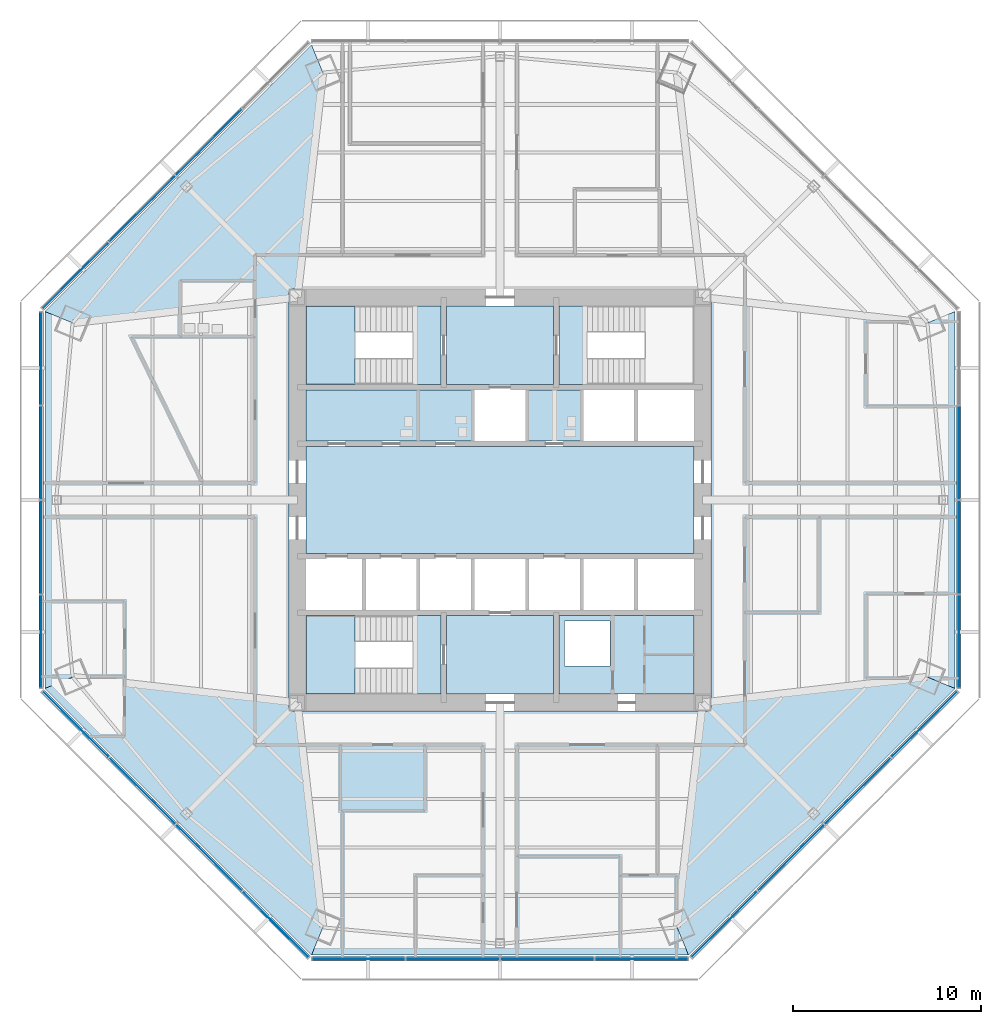
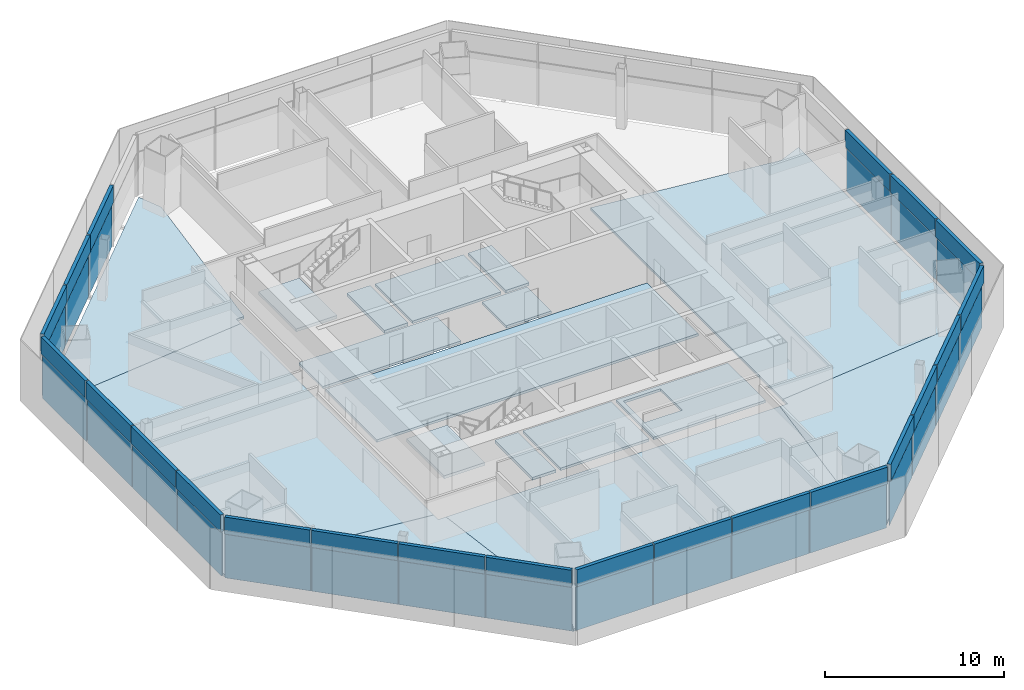
# One storey, part 7 of 15: 44 plates, 17 slabs, 9 elements without a shape of their own.
"""IFC4 building model written with IfcOpenShell, lengths in metres."""

from ifc_helpers import new_model, si_unit, direction, frame, origin, origin_2d, place, context, subcontext, project, spatial, polyline, rectangle, outline, extrude, source, transform, mapped, material, layer, layer_set, type_object, type_shapes, element, aggregate, save


model = new_model("IFC4")

# Units and contexts
model_context = context("Model", 3, precision=1e-05, world=origin(), true_north=direction((0.0, 1.0)))
body_context = subcontext(model_context, "Body", "Model", "MODEL_VIEW")
ifc_project = project(units=[si_unit("LENGTHUNIT", "METRE"), si_unit("AREAUNIT", "SQUARE_METRE"), si_unit("VOLUMEUNIT", "CUBIC_METRE"), si_unit("PLANEANGLEUNIT", "RADIAN"), si_unit("MASSUNIT", "GRAM", prefix="KILO")], contexts=[model_context])

# Site, building, storey
site_placement = place(None, origin())
site = spatial("IfcSite", under=ifc_project, at=site_placement, CompositionType="ELEMENT")
building_placement = place(site_placement, origin())
building = spatial("IfcBuilding", under=site, at=building_placement, Name="Mashrafa Tower", CompositionType="ELEMENT")
storey_placement = place(building_placement, frame((0.0, 0.0, 126.0)))
storey = spatial("IfcBuildingStorey", under=building, at=storey_placement, Name="L28", CompositionType="ELEMENT", Elevation=126.0)

# Slabs
ifc_material_1 = material(Name="Concrete C35/45", Category="concrete")
ifc_layer_1 = layer(ifc_material_1, 0.1650390625)
ifc_layer_set_1 = layer_set([ifc_layer_1], Name="Floor slab 165")
slab_type_1 = type_object("IfcSlabType", Name="Floor slab 165", PredefinedType="FLOOR", material=ifc_layer_set_1)
slab_1_placement = place(storey_placement, frame((0.0, 0.0, -0.1650390625)))
element("IfcSlab", 1, at=slab_1_placement, inside=storey, type_object=slab_type_1, Name="Floor slab L28 east bay", PredefinedType="FLOOR", context=body_context, shape_type="SweptSolid", body=[
    extrude(outline(polyline([(24.250244140625, 10.044921875), (24.250244140625, -10.044921875), (24.250244140625, -10.044921875), (22.77685546875, -9.4345703125), (11.25, -10.748779296875), (11.25, 10.748779296875), (22.77685546875, 9.4345703125), (24.250244140625, 10.044921875), (24.250244140625, 10.044921875)])), origin(), (0.0, 0.0, 1.0), 0.1650390625),
])
slab_2_placement = place(storey_placement, frame((0.0, 0.0, -0.1650390625)))
element("IfcSlab", 2, at=slab_2_placement, inside=storey, type_object=slab_type_1, Name="Floor slab L28 north-west bay", PredefinedType="FLOOR", context=body_context, shape_type="SweptSolid", body=[
    extrude(outline(polyline([(-10.044921875, 24.250244140625), (-9.4345703125, 22.77685546875), (-10.748779296875, 11.25), (-11.25, 11.25), (-11.25, 10.748779296875), (-22.77685546875, 9.4345703125), (-24.250244140625, 10.044921875), (-10.044921875, 24.250244140625)])), origin(), (0.0, 0.0, 1.0), 0.1650390625),
])
slab_3_placement = place(storey_placement, frame((0.0, 0.0, -0.1650390625)))
element("IfcSlab", 3, at=slab_3_placement, inside=storey, type_object=slab_type_1, Name="Floor slab L28 west bay", PredefinedType="FLOOR", context=body_context, shape_type="SweptSolid", body=[
    extrude(outline(polyline([(-24.250244140625, -10.044921875), (-24.250244140625, 10.044921875), (-24.250244140625, 10.044921875), (-22.77685546875, 9.4345703125), (-11.25, 10.748779296875), (-11.25, -10.748779296875), (-22.77685546875, -9.4345703125), (-24.250244140625, -10.044921875), (-24.250244140625, -10.044921875)])), origin(), (0.0, 0.0, 1.0), 0.1650390625),
])
slab_4_placement = place(storey_placement, frame((0.0, 0.0, -0.1650390625)))
element("IfcSlab", 4, at=slab_4_placement, inside=storey, type_object=slab_type_1, Name="Floor slab L28 south-west bay", PredefinedType="FLOOR", context=body_context, shape_type="SweptSolid", body=[
    extrude(outline(polyline([(-24.250244140625, -10.044921875), (-22.77685546875, -9.4345703125), (-11.25, -10.748779296875), (-11.25, -11.25), (-10.748779296875, -11.25), (-9.4345703125, -22.77685546875), (-10.044921875, -24.250244140625), (-24.250244140625, -10.044921875)])), origin(), (0.0, 0.0, 1.0), 0.1650390625),
])
slab_5_placement = place(storey_placement, frame((0.0, 0.0, -0.1650390625)))
element("IfcSlab", 5, at=slab_5_placement, inside=storey, type_object=slab_type_1, Name="Floor slab L28 south bay", PredefinedType="FLOOR", context=body_context, shape_type="SweptSolid", body=[
    extrude(outline(polyline([(-10.044921875, -24.250244140625), (-10.044921875, -24.250244140625), (-9.4345703125, -22.77685546875), (-10.748779296875, -11.25), (10.748779296875, -11.25), (9.4345703125, -22.77685546875), (10.044921875, -24.250244140625), (10.044921875, -24.250244140625), (-10.044921875, -24.250244140625)])), origin(), (0.0, 0.0, 1.0), 0.1650390625),
])
slab_6_placement = place(storey_placement, frame((0.0, 0.0, -0.1650390625)))
element("IfcSlab", 6, at=slab_6_placement, inside=storey, type_object=slab_type_1, Name="Floor slab L28 south-east bay", PredefinedType="FLOOR", context=body_context, shape_type="SweptSolid", body=[
    extrude(outline(polyline([(10.044921875, -24.250244140625), (9.4345703125, -22.77685546875), (10.748779296875, -11.25), (11.25, -11.25), (11.25, -10.748779296875), (22.77685546875, -9.4345703125), (24.250244140625, -10.044921875), (10.044921875, -24.250244140625)])), origin(), (0.0, 0.0, 1.0), 0.1650390625),
])
slab_7_placement = place(storey_placement, frame((0.0, 0.0, -0.1650390625)))
element("IfcSlab", 7, at=slab_7_placement, inside=storey, type_object=slab_type_1, Name="Core floor lift hall L28", PredefinedType="FLOOR", context=body_context, shape_type="SweptSolid", body=[
    extrude(outline(polyline([(-10.35009765625, 2.85009765625), (10.35009765625, 2.85009765625), (10.35009765625, -2.85009765625), (-10.35009765625, -2.85009765625), (-10.35009765625, 2.85009765625)])), origin(), (0.0, 0.0, 1.0), 0.1650390625),
])
slab_8_placement = place(storey_placement, frame((0.0, 0.0, -0.1650390625)))
element("IfcSlab", 8, at=slab_8_placement, inside=storey, type_object=slab_type_1, Name="Core floor riser and electrical band L28", PredefinedType="FLOOR", context=body_context, shape_type="SweptSolid", body=[
    extrude(outline(polyline([(10.35009765625, -6.14990234375), (10.35009765625, -10.35009765625), (3.14990234375, -10.35009765625), (3.14990234375, -6.14990234375), (10.35009765625, -6.14990234375)]), holes=[polyline([(3.449951171875, -8.85009765625), (5.85009765625, -8.85009765625), (5.85009765625, -6.449951171875), (3.449951171875, -6.449951171875), (3.449951171875, -8.85009765625)])]), origin(), (0.0, 0.0, 1.0), 0.1650390625),
])
slab_9_placement = place(storey_placement, frame((0.0, 0.0, -0.1650390625)))
element("IfcSlab", 9, at=slab_9_placement, inside=storey, type_object=slab_type_1, Name="Core floor lift cell L28", PredefinedType="FLOOR", context=body_context, shape_type="SweptSolid", body=[
    extrude(outline(polyline([(-1.449951171875, 3.14990234375), (-10.35009765625, 3.14990234375), (-10.35009765625, 5.85009765625), (-1.449951171875, 5.85009765625), (-1.449951171875, 3.14990234375)])), origin(), (0.0, 0.0, 1.0), 0.1650390625),
])
slab_10_placement = place(storey_placement, frame((0.0, 0.0, -0.1650390625)))
element("IfcSlab", 10, at=slab_10_placement, inside=storey, type_object=slab_type_1, Name="Core floor fire-fighting lobby north L28", PredefinedType="FLOOR", context=body_context, shape_type="SweptSolid", body=[
    extrude(outline(polyline([(-2.85009765625, 10.35009765625), (2.85009765625, 10.35009765625), (2.85009765625, 6.14990234375), (-2.85009765625, 6.14990234375), (-2.85009765625, 10.35009765625)])), origin(), (0.0, 0.0, 1.0), 0.1650390625),
])
slab_11_placement = place(storey_placement, frame((0.0, 0.0, -0.1650390625)))
element("IfcSlab", 11, at=slab_11_placement, inside=storey, type_object=slab_type_1, Name="Core floor fire-fighting lobby south L28", PredefinedType="FLOOR", context=body_context, shape_type="SweptSolid", body=[
    extrude(outline(polyline([(2.85009765625, -6.14990234375), (2.85009765625, -10.35009765625), (-2.85009765625, -10.35009765625), (-2.85009765625, -6.14990234375), (2.85009765625, -6.14990234375)])), origin(), (0.0, 0.0, 1.0), 0.1650390625),
])
slab_12_placement = place(storey_placement, frame((0.0, 0.0, -0.1650390625)))
element("IfcSlab", 12, at=slab_12_placement, inside=storey, type_object=slab_type_1, Name="Core floor lift cell L28", PredefinedType="FLOOR", context=body_context, shape_type="SweptSolid", body=[
    extrude(outline(polyline([(4.35009765625, 5.85009765625), (4.35009765625, 3.14990234375), (1.449951171875, 3.14990234375), (1.449951171875, 5.85009765625), (4.35009765625, 5.85009765625)])), origin(), (0.0, 0.0, 1.0), 0.1650390625),
])

# Stair, slabs
ifc_material_2 = material(Name="Exit stair 1400")
stair_type = type_object("IfcStairType", Name="Exit stair 1400", PredefinedType="HALF_TURN_STAIR", material=ifc_material_2)
stair_1_placement = place(storey_placement, origin())
stair_1 = element("IfcStair", 13, at=stair_1_placement, inside=storey, type_object=stair_type, Name="Stair S1 L28", PredefinedType="HALF_TURN_STAIR")
ifc_material_3 = material(Name="Concrete C32/40", Category="concrete")
ifc_layer_2 = layer(ifc_material_3, 0.199951171875)
ifc_layer_set_2 = layer_set([ifc_layer_2], Name="Stair landing 200")
slab_type_2 = type_object("IfcSlabType", Name="Stair landing 200", PredefinedType="LANDING", material=ifc_layer_set_2)
slab_13_placement = place(storey_placement, frame((0.0, 0.0, -0.199951171875)))
slab_13 = element("IfcSlab", 14, at=slab_13_placement, type_object=slab_type_2, Name="S1 landing 1", PredefinedType="LANDING", context=body_context, shape_type="SweptSolid", body=[
    extrude(outline(polyline([(-4.659912109375, 6.14990234375), (-3.14990234375, 6.14990234375), (-3.14990234375, 10.35009765625), (-4.659912109375, 10.35009765625), (-4.659912109375, 6.14990234375)])), origin(), (0.0, 0.0, 1.0), 0.199951171875),
])
slab_14_placement = place(storey_placement, frame((0.0, 0.0, 1.89990234375)))
slab_14 = element("IfcSlab", 15, at=slab_14_placement, type_object=slab_type_2, Name="S1 landing 2", PredefinedType="LANDING", context=body_context, shape_type="SweptSolid", body=[
    extrude(outline(polyline([(-10.35009765625, 6.14990234375), (-7.719970703125, 6.14990234375), (-7.719970703125, 10.35009765625), (-10.35009765625, 10.35009765625), (-10.35009765625, 6.14990234375)])), origin(), (0.0, 0.0, 1.0), 0.2001953125),
])
aggregate(stair_1, [slab_13, slab_14])

# Stair, slab
stair_2_placement = place(storey_placement, origin())
stair_2 = element("IfcStair", 16, at=stair_2_placement, inside=storey, type_object=stair_type, Name="Stair S2 L28", PredefinedType="HALF_TURN_STAIR")
slab_15_placement = place(storey_placement, frame((0.0, 0.0, -0.199951171875)))
slab_15 = element("IfcSlab", 17, at=slab_15_placement, type_object=slab_type_2, Name="S2 landing 1", PredefinedType="LANDING", context=body_context, shape_type="SweptSolid", body=[
    extrude(outline(polyline([(3.14990234375, 6.14990234375), (4.659912109375, 6.14990234375), (4.659912109375, 10.35009765625), (3.14990234375, 10.35009765625), (3.14990234375, 6.14990234375)])), origin(), (0.0, 0.0, 1.0), 0.199951171875),
])
aggregate(stair_2, [slab_15])

# Stair, slabs
stair_3_placement = place(storey_placement, origin())
stair_3 = element("IfcStair", 18, at=stair_3_placement, inside=storey, type_object=stair_type, Name="Stair S3 L28", PredefinedType="HALF_TURN_STAIR")
slab_16_placement = place(storey_placement, frame((0.0, 0.0, -0.199951171875)))
slab_16 = element("IfcSlab", 19, at=slab_16_placement, type_object=slab_type_2, Name="S3 landing 1", PredefinedType="LANDING", context=body_context, shape_type="SweptSolid", body=[
    extrude(outline(polyline([(-4.659912109375, -10.35009765625), (-3.14990234375, -10.35009765625), (-3.14990234375, -6.14990234375), (-4.659912109375, -6.14990234375), (-4.659912109375, -10.35009765625)])), origin(), (0.0, 0.0, 1.0), 0.199951171875),
])
slab_17_placement = place(storey_placement, frame((0.0, 0.0, 1.89990234375)))
slab_17 = element("IfcSlab", 20, at=slab_17_placement, type_object=slab_type_2, Name="S3 landing 2", PredefinedType="LANDING", context=body_context, shape_type="SweptSolid", body=[
    extrude(outline(polyline([(-10.35009765625, -10.35009765625), (-7.719970703125, -10.35009765625), (-7.719970703125, -6.14990234375), (-10.35009765625, -6.14990234375), (-10.35009765625, -10.35009765625)])), origin(), (0.0, 0.0, 1.0), 0.2001953125),
])
aggregate(stair_3, [slab_16, slab_17])

# Curtain wall, plate
ifc_material_4 = material(Name="Unitised aluminium curtain wall", Category="aluminium")
curtain_wall_type = type_object("IfcCurtainWallType", Name="Office curtain wall, zone 2 CW-B 225 deep", PredefinedType="NOTDEFINED", material=ifc_material_4)
curtain_wall_1_placement = place(storey_placement, origin())
curtain_wall_1 = element("IfcCurtainWall", 21, at=curtain_wall_1_placement, inside=storey, type_object=curtain_wall_type, Name="Office curtain wall, zone 2 L28 east", PredefinedType="NOTDEFINED")
ifc_material_5 = material(Name="Insulated double glazing, low-e, neutral", Category="glass")
ifc_layer_3 = layer(ifc_material_5, 0.028076171875)
ifc_layer_set_3 = layer_set([ifc_layer_3], Name="Vision panel CW-B 28")
plate_type_1 = type_object("IfcPlateType", Name="Vision panel CW-B 28", PredefinedType="CURTAIN_PANEL", material=ifc_layer_set_3)
shared_shape_1 = source(origin(), body_context, "Body", "SweptSolid", [
    extrude(rectangle(XDim=4.93798828125, YDim=0.028076171875, at=origin_2d()), origin(), (0.0, 0.0, 1.0), 2.9599609375),
])
plate_1_placement = place(storey_placement, frame((24.450439453125, -7.537109375, 0.0), z_axis=(0.0, 0.0, 1.0), x_axis=(0.0, 1.0, 0.0)))
plate_1 = element("IfcPlate", 22, at=plate_1_placement, type_object=plate_type_1, Name="CW-B vision panel 1", PredefinedType="CURTAIN_PANEL", context=body_context, shape_type="MappedRepresentation", body=[
    mapped(shared_shape_1, transform((0.0, 0.0, 0.0))),
])

curtain_wall_2_placement = place(storey_placement, origin())
curtain_wall_2 = element("IfcCurtainWall", 23, at=curtain_wall_2_placement, inside=storey, type_object=curtain_wall_type, Name="Office curtain wall, zone 2 L28 north-west", PredefinedType="NOTDEFINED")
plate_2_placement = place(storey_placement, frame((-22.618408203125, 11.95947265625, 0.0), z_axis=(0.0, 0.0, 1.0), x_axis=(-0.707106781187, -0.707106781187, 0.0)))
plate_2 = element("IfcPlate", 24, at=plate_2_placement, type_object=plate_type_1, Name="CW-B vision panel 4", PredefinedType="CURTAIN_PANEL", context=body_context, shape_type="MappedRepresentation", body=[
    mapped(shared_shape_1, transform((0.0, 0.0, 0.0))),
])

# Curtain wall, plates
curtain_wall_3_placement = place(storey_placement, origin())
curtain_wall_3 = element("IfcCurtainWall", 25, at=curtain_wall_3_placement, inside=storey, type_object=curtain_wall_type, Name="Office curtain wall, zone 2 L28 west", PredefinedType="NOTDEFINED")
plate_3_placement = place(storey_placement, frame((-24.450439453125, 7.537109375, 0.0), z_axis=(0.0, 0.0, 1.0), x_axis=(0.0, -1.0, 0.0)))
plate_3 = element("IfcPlate", 26, at=plate_3_placement, type_object=plate_type_1, Name="CW-B vision panel 1", PredefinedType="CURTAIN_PANEL", context=body_context, shape_type="MappedRepresentation", body=[
    mapped(shared_shape_1, transform((0.0, 0.0, 0.0))),
])
plate_4_placement = place(storey_placement, frame((-24.450439453125, -7.537109375, 0.0), z_axis=(0.0, 0.0, 1.0), x_axis=(0.0, -1.0, 0.0)))
plate_4 = element("IfcPlate", 27, at=plate_4_placement, type_object=plate_type_1, Name="CW-B vision panel 4", PredefinedType="CURTAIN_PANEL", context=body_context, shape_type="MappedRepresentation", body=[
    mapped(shared_shape_1, transform((0.0, 0.0, 0.0))),
])

curtain_wall_4_placement = place(storey_placement, origin())
curtain_wall_4 = element("IfcCurtainWall", 28, at=curtain_wall_4_placement, inside=storey, type_object=curtain_wall_type, Name="Office curtain wall, zone 2 L28 south-west", PredefinedType="NOTDEFINED")
plate_5_placement = place(storey_placement, frame((-22.618408203125, -11.95947265625, 0.0), z_axis=(0.0, 0.0, 1.0), x_axis=(0.707106781187, -0.707106781187, 0.0)))
plate_5 = element("IfcPlate", 29, at=plate_5_placement, type_object=plate_type_1, Name="CW-B vision panel 1", PredefinedType="CURTAIN_PANEL", context=body_context, shape_type="MappedRepresentation", body=[
    mapped(shared_shape_1, transform((0.0, 0.0, 0.0))),
])
plate_6_placement = place(storey_placement, frame((-11.95947265625, -22.618408203125, 0.0), z_axis=(0.0, 0.0, 1.0), x_axis=(0.707106781187, -0.707106781187, 0.0)))
plate_6 = element("IfcPlate", 30, at=plate_6_placement, type_object=plate_type_1, Name="CW-B vision panel 4", PredefinedType="CURTAIN_PANEL", context=body_context, shape_type="MappedRepresentation", body=[
    mapped(shared_shape_1, transform((0.0, 0.0, 0.0))),
])

curtain_wall_5_placement = place(storey_placement, origin())
curtain_wall_5 = element("IfcCurtainWall", 31, at=curtain_wall_5_placement, inside=storey, type_object=curtain_wall_type, Name="Office curtain wall, zone 2 L28 south", PredefinedType="NOTDEFINED")
plate_7_placement = place(storey_placement, frame((-7.537109375, -24.450439453125, 0.0), z_axis=(0.0, 0.0, 1.0), x_axis=(1.0, 0.0, 0.0)))
plate_7 = element("IfcPlate", 32, at=plate_7_placement, type_object=plate_type_1, Name="CW-B vision panel 1", PredefinedType="CURTAIN_PANEL", context=body_context, shape_type="MappedRepresentation", body=[
    mapped(shared_shape_1, transform((0.0, 0.0, 0.0))),
])
plate_8_placement = place(storey_placement, frame((7.537109375, -24.450439453125, 0.0), z_axis=(0.0, 0.0, 1.0), x_axis=(1.0, 0.0, 0.0)))
plate_8 = element("IfcPlate", 33, at=plate_8_placement, type_object=plate_type_1, Name="CW-B vision panel 4", PredefinedType="CURTAIN_PANEL", context=body_context, shape_type="MappedRepresentation", body=[
    mapped(shared_shape_1, transform((0.0, 0.0, 0.0))),
])

curtain_wall_6_placement = place(storey_placement, origin())
curtain_wall_6 = element("IfcCurtainWall", 34, at=curtain_wall_6_placement, inside=storey, type_object=curtain_wall_type, Name="Office curtain wall, zone 2 L28 south-east", PredefinedType="NOTDEFINED")
plate_9_placement = place(storey_placement, frame((11.95947265625, -22.618408203125, 0.0), z_axis=(0.0, 0.0, 1.0), x_axis=(0.707106781187, 0.707106781187, 0.0)))
plate_9 = element("IfcPlate", 35, at=plate_9_placement, type_object=plate_type_1, Name="CW-B vision panel 1", PredefinedType="CURTAIN_PANEL", context=body_context, shape_type="MappedRepresentation", body=[
    mapped(shared_shape_1, transform((0.0, 0.0, 0.0))),
])
plate_10_placement = place(storey_placement, frame((22.618408203125, -11.95947265625, 0.0), z_axis=(0.0, 0.0, 1.0), x_axis=(0.707106781187, 0.707106781187, 0.0)))
plate_10 = element("IfcPlate", 36, at=plate_10_placement, type_object=plate_type_1, Name="CW-B vision panel 4", PredefinedType="CURTAIN_PANEL", context=body_context, shape_type="MappedRepresentation", body=[
    mapped(shared_shape_1, transform((0.0, 0.0, 0.0))),
])

# Plate
ifc_material_6 = material(Name="Insulated aluminium spandrel panel", Category="aluminium")
ifc_layer_4 = layer(ifc_material_6, 0.219970703125)
ifc_layer_set_4 = layer_set([ifc_layer_4], Name="Spandrel panel CW-B 220")
plate_type_2 = type_object("IfcPlateType", Name="Spandrel panel CW-B 220", PredefinedType="CURTAIN_PANEL", material=ifc_layer_set_4)
shared_shape_2 = source(origin(), body_context, "Body", "SweptSolid", [
    extrude(rectangle(XDim=4.93798828125, YDim=0.219970703125, at=origin_2d()), origin(), (0.0, 0.0, 1.0), 1.159912109375),
])
plate_11_placement = place(storey_placement, frame((24.450439453125, -7.537109375, 3.0400390625), z_axis=(0.0, 0.0, 1.0), x_axis=(0.0, 1.0, 0.0)))
plate_11 = element("IfcPlate", 37, at=plate_11_placement, type_object=plate_type_2, Name="CW-B spandrel panel 1", PredefinedType="CURTAIN_PANEL", context=body_context, shape_type="MappedRepresentation", body=[
    mapped(shared_shape_2, transform((0.0, 0.0, 0.0))),
])

plate_12_placement = place(storey_placement, frame((-22.618408203125, 11.95947265625, 3.0400390625), z_axis=(0.0, 0.0, 1.0), x_axis=(-0.707106781187, -0.707106781187, 0.0)))
plate_12 = element("IfcPlate", 38, at=plate_12_placement, type_object=plate_type_2, Name="CW-B spandrel panel 4", PredefinedType="CURTAIN_PANEL", context=body_context, shape_type="MappedRepresentation", body=[
    mapped(shared_shape_2, transform((0.0, 0.0, 0.0))),
])

plate_13_placement = place(storey_placement, frame((-24.450439453125, 7.537109375, 3.0400390625), z_axis=(0.0, 0.0, 1.0), x_axis=(0.0, -1.0, 0.0)))
plate_13 = element("IfcPlate", 39, at=plate_13_placement, type_object=plate_type_2, Name="CW-B spandrel panel 1", PredefinedType="CURTAIN_PANEL", context=body_context, shape_type="MappedRepresentation", body=[
    mapped(shared_shape_2, transform((0.0, 0.0, 0.0))),
])

plate_14_placement = place(storey_placement, frame((-24.450439453125, -7.537109375, 3.0400390625), z_axis=(0.0, 0.0, 1.0), x_axis=(0.0, -1.0, 0.0)))
plate_14 = element("IfcPlate", 40, at=plate_14_placement, type_object=plate_type_2, Name="CW-B spandrel panel 4", PredefinedType="CURTAIN_PANEL", context=body_context, shape_type="MappedRepresentation", body=[
    mapped(shared_shape_2, transform((0.0, 0.0, 0.0))),
])

plate_15_placement = place(storey_placement, frame((-22.618408203125, -11.95947265625, 3.0400390625), z_axis=(0.0, 0.0, 1.0), x_axis=(0.707106781187, -0.707106781187, 0.0)))
plate_15 = element("IfcPlate", 41, at=plate_15_placement, type_object=plate_type_2, Name="CW-B spandrel panel 1", PredefinedType="CURTAIN_PANEL", context=body_context, shape_type="MappedRepresentation", body=[
    mapped(shared_shape_2, transform((0.0, 0.0, 0.0))),
])

plate_16_placement = place(storey_placement, frame((-11.95947265625, -22.618408203125, 3.0400390625), z_axis=(0.0, 0.0, 1.0), x_axis=(0.707106781187, -0.707106781187, 0.0)))
plate_16 = element("IfcPlate", 42, at=plate_16_placement, type_object=plate_type_2, Name="CW-B spandrel panel 4", PredefinedType="CURTAIN_PANEL", context=body_context, shape_type="MappedRepresentation", body=[
    mapped(shared_shape_2, transform((0.0, 0.0, 0.0))),
])

plate_17_placement = place(storey_placement, frame((-7.537109375, -24.450439453125, 3.0400390625), z_axis=(0.0, 0.0, 1.0), x_axis=(1.0, 0.0, 0.0)))
plate_17 = element("IfcPlate", 43, at=plate_17_placement, type_object=plate_type_2, Name="CW-B spandrel panel 1", PredefinedType="CURTAIN_PANEL", context=body_context, shape_type="MappedRepresentation", body=[
    mapped(shared_shape_2, transform((0.0, 0.0, 0.0))),
])

plate_18_placement = place(storey_placement, frame((7.537109375, -24.450439453125, 3.0400390625), z_axis=(0.0, 0.0, 1.0), x_axis=(1.0, 0.0, 0.0)))
plate_18 = element("IfcPlate", 44, at=plate_18_placement, type_object=plate_type_2, Name="CW-B spandrel panel 4", PredefinedType="CURTAIN_PANEL", context=body_context, shape_type="MappedRepresentation", body=[
    mapped(shared_shape_2, transform((0.0, 0.0, 0.0))),
])

plate_19_placement = place(storey_placement, frame((11.95947265625, -22.618408203125, 3.0400390625), z_axis=(0.0, 0.0, 1.0), x_axis=(0.707106781187, 0.707106781187, 0.0)))
plate_19 = element("IfcPlate", 45, at=plate_19_placement, type_object=plate_type_2, Name="CW-B spandrel panel 1", PredefinedType="CURTAIN_PANEL", context=body_context, shape_type="MappedRepresentation", body=[
    mapped(shared_shape_2, transform((0.0, 0.0, 0.0))),
])

plate_20_placement = place(storey_placement, frame((22.618408203125, -11.95947265625, 3.0400390625), z_axis=(0.0, 0.0, 1.0), x_axis=(0.707106781187, 0.707106781187, 0.0)))
plate_20 = element("IfcPlate", 46, at=plate_20_placement, type_object=plate_type_2, Name="CW-B spandrel panel 4", PredefinedType="CURTAIN_PANEL", context=body_context, shape_type="MappedRepresentation", body=[
    mapped(shared_shape_2, transform((0.0, 0.0, 0.0))),
])

shared_shape_3 = source(origin(), body_context, "Body", "SweptSolid", [
    extrude(rectangle(XDim=4.970458984375, YDim=0.028076171875, at=origin_2d()), origin(), (0.0, 0.0, 1.0), 2.9599609375),
])
type_shapes(plate_type_1, [shared_shape_1, shared_shape_3])
plate_21_placement = place(storey_placement, frame((24.450439453125, -2.517822265625, 0.0), z_axis=(0.0, 0.0, 1.0), x_axis=(0.0, 1.0, 0.0)))
plate_21 = element("IfcPlate", 47, at=plate_21_placement, type_object=plate_type_1, Name="CW-B vision panel 2", PredefinedType="CURTAIN_PANEL", context=body_context, shape_type="MappedRepresentation", body=[
    mapped(shared_shape_3, transform((0.0, 0.0, 0.0))),
])

plate_22_placement = place(storey_placement, frame((24.450439453125, 2.517822265625, 0.0), z_axis=(0.0, 0.0, 1.0), x_axis=(0.0, 1.0, 0.0)))
plate_22 = element("IfcPlate", 48, at=plate_22_placement, type_object=plate_type_1, Name="CW-B vision panel 3", PredefinedType="CURTAIN_PANEL", context=body_context, shape_type="MappedRepresentation", body=[
    mapped(shared_shape_3, transform((0.0, 0.0, 0.0))),
])

plate_23_placement = place(storey_placement, frame((-15.5087890625, 19.0693359375, 0.0), z_axis=(0.0, 0.0, 1.0), x_axis=(-0.707106781187, -0.707106781187, 0.0)))
plate_23 = element("IfcPlate", 49, at=plate_23_placement, type_object=plate_type_1, Name="CW-B vision panel 2", PredefinedType="CURTAIN_PANEL", context=body_context, shape_type="MappedRepresentation", body=[
    mapped(shared_shape_3, transform((0.0, 0.0, 0.0))),
])

plate_24_placement = place(storey_placement, frame((-19.0693359375, 15.5087890625, 0.0), z_axis=(0.0, 0.0, 1.0), x_axis=(-0.707106781187, -0.707106781187, 0.0)))
plate_24 = element("IfcPlate", 50, at=plate_24_placement, type_object=plate_type_1, Name="CW-B vision panel 3", PredefinedType="CURTAIN_PANEL", context=body_context, shape_type="MappedRepresentation", body=[
    mapped(shared_shape_3, transform((0.0, 0.0, 0.0))),
])

plate_25_placement = place(storey_placement, frame((-24.450439453125, 2.517822265625, 0.0), z_axis=(0.0, 0.0, 1.0), x_axis=(0.0, -1.0, 0.0)))
plate_25 = element("IfcPlate", 51, at=plate_25_placement, type_object=plate_type_1, Name="CW-B vision panel 2", PredefinedType="CURTAIN_PANEL", context=body_context, shape_type="MappedRepresentation", body=[
    mapped(shared_shape_3, transform((0.0, 0.0, 0.0))),
])

plate_26_placement = place(storey_placement, frame((-24.450439453125, -2.517822265625, 0.0), z_axis=(0.0, 0.0, 1.0), x_axis=(0.0, -1.0, 0.0)))
plate_26 = element("IfcPlate", 52, at=plate_26_placement, type_object=plate_type_1, Name="CW-B vision panel 3", PredefinedType="CURTAIN_PANEL", context=body_context, shape_type="MappedRepresentation", body=[
    mapped(shared_shape_3, transform((0.0, 0.0, 0.0))),
])

plate_27_placement = place(storey_placement, frame((-19.0693359375, -15.5087890625, 0.0), z_axis=(0.0, 0.0, 1.0), x_axis=(0.707106781187, -0.707106781187, 0.0)))
plate_27 = element("IfcPlate", 53, at=plate_27_placement, type_object=plate_type_1, Name="CW-B vision panel 2", PredefinedType="CURTAIN_PANEL", context=body_context, shape_type="MappedRepresentation", body=[
    mapped(shared_shape_3, transform((0.0, 0.0, 0.0))),
])

plate_28_placement = place(storey_placement, frame((-15.5087890625, -19.0693359375, 0.0), z_axis=(0.0, 0.0, 1.0), x_axis=(0.707106781187, -0.707106781187, 0.0)))
plate_28 = element("IfcPlate", 54, at=plate_28_placement, type_object=plate_type_1, Name="CW-B vision panel 3", PredefinedType="CURTAIN_PANEL", context=body_context, shape_type="MappedRepresentation", body=[
    mapped(shared_shape_3, transform((0.0, 0.0, 0.0))),
])

plate_29_placement = place(storey_placement, frame((-2.517822265625, -24.450439453125, 0.0), z_axis=(0.0, 0.0, 1.0), x_axis=(1.0, 0.0, 0.0)))
plate_29 = element("IfcPlate", 55, at=plate_29_placement, type_object=plate_type_1, Name="CW-B vision panel 2", PredefinedType="CURTAIN_PANEL", context=body_context, shape_type="MappedRepresentation", body=[
    mapped(shared_shape_3, transform((0.0, 0.0, 0.0))),
])

plate_30_placement = place(storey_placement, frame((2.517822265625, -24.450439453125, 0.0), z_axis=(0.0, 0.0, 1.0), x_axis=(1.0, 0.0, 0.0)))
plate_30 = element("IfcPlate", 56, at=plate_30_placement, type_object=plate_type_1, Name="CW-B vision panel 3", PredefinedType="CURTAIN_PANEL", context=body_context, shape_type="MappedRepresentation", body=[
    mapped(shared_shape_3, transform((0.0, 0.0, 0.0))),
])

plate_31_placement = place(storey_placement, frame((15.5087890625, -19.0693359375, 0.0), z_axis=(0.0, 0.0, 1.0), x_axis=(0.707106781187, 0.707106781187, 0.0)))
plate_31 = element("IfcPlate", 57, at=plate_31_placement, type_object=plate_type_1, Name="CW-B vision panel 2", PredefinedType="CURTAIN_PANEL", context=body_context, shape_type="MappedRepresentation", body=[
    mapped(shared_shape_3, transform((0.0, 0.0, 0.0))),
])

plate_32_placement = place(storey_placement, frame((19.0693359375, -15.5087890625, 0.0), z_axis=(0.0, 0.0, 1.0), x_axis=(0.707106781187, 0.707106781187, 0.0)))
plate_32 = element("IfcPlate", 58, at=plate_32_placement, type_object=plate_type_1, Name="CW-B vision panel 3", PredefinedType="CURTAIN_PANEL", context=body_context, shape_type="MappedRepresentation", body=[
    mapped(shared_shape_3, transform((0.0, 0.0, 0.0))),
])

shared_shape_4 = source(origin(), body_context, "Body", "SweptSolid", [
    extrude(rectangle(XDim=4.970458984375, YDim=0.219970703125, at=origin_2d()), origin(), (0.0, 0.0, 1.0), 1.159912109375),
])
type_shapes(plate_type_2, [shared_shape_2, shared_shape_4])
plate_33_placement = place(storey_placement, frame((24.450439453125, -2.517822265625, 3.0400390625), z_axis=(0.0, 0.0, 1.0), x_axis=(0.0, 1.0, 0.0)))
plate_33 = element("IfcPlate", 59, at=plate_33_placement, type_object=plate_type_2, Name="CW-B spandrel panel 2", PredefinedType="CURTAIN_PANEL", context=body_context, shape_type="MappedRepresentation", body=[
    mapped(shared_shape_4, transform((0.0, 0.0, 0.0))),
])

plate_34_placement = place(storey_placement, frame((24.450439453125, 2.517822265625, 3.0400390625), z_axis=(0.0, 0.0, 1.0), x_axis=(0.0, 1.0, 0.0)))
plate_34 = element("IfcPlate", 60, at=plate_34_placement, type_object=plate_type_2, Name="CW-B spandrel panel 3", PredefinedType="CURTAIN_PANEL", context=body_context, shape_type="MappedRepresentation", body=[
    mapped(shared_shape_4, transform((0.0, 0.0, 0.0))),
])

aggregate(curtain_wall_1, [plate_1, plate_11, plate_21, plate_33, plate_22, plate_34])

plate_35_placement = place(storey_placement, frame((-15.5087890625, 19.0693359375, 3.0400390625), z_axis=(0.0, 0.0, 1.0), x_axis=(-0.707106781187, -0.707106781187, 0.0)))
plate_35 = element("IfcPlate", 61, at=plate_35_placement, type_object=plate_type_2, Name="CW-B spandrel panel 2", PredefinedType="CURTAIN_PANEL", context=body_context, shape_type="MappedRepresentation", body=[
    mapped(shared_shape_4, transform((0.0, 0.0, 0.0))),
])

plate_36_placement = place(storey_placement, frame((-19.0693359375, 15.5087890625, 3.0400390625), z_axis=(0.0, 0.0, 1.0), x_axis=(-0.707106781187, -0.707106781187, 0.0)))
plate_36 = element("IfcPlate", 62, at=plate_36_placement, type_object=plate_type_2, Name="CW-B spandrel panel 3", PredefinedType="CURTAIN_PANEL", context=body_context, shape_type="MappedRepresentation", body=[
    mapped(shared_shape_4, transform((0.0, 0.0, 0.0))),
])

aggregate(curtain_wall_2, [plate_23, plate_35, plate_24, plate_36, plate_2, plate_12])

plate_37_placement = place(storey_placement, frame((-24.450439453125, 2.517822265625, 3.0400390625), z_axis=(0.0, 0.0, 1.0), x_axis=(0.0, -1.0, 0.0)))
plate_37 = element("IfcPlate", 63, at=plate_37_placement, type_object=plate_type_2, Name="CW-B spandrel panel 2", PredefinedType="CURTAIN_PANEL", context=body_context, shape_type="MappedRepresentation", body=[
    mapped(shared_shape_4, transform((0.0, 0.0, 0.0))),
])

plate_38_placement = place(storey_placement, frame((-24.450439453125, -2.517822265625, 3.0400390625), z_axis=(0.0, 0.0, 1.0), x_axis=(0.0, -1.0, 0.0)))
plate_38 = element("IfcPlate", 64, at=plate_38_placement, type_object=plate_type_2, Name="CW-B spandrel panel 3", PredefinedType="CURTAIN_PANEL", context=body_context, shape_type="MappedRepresentation", body=[
    mapped(shared_shape_4, transform((0.0, 0.0, 0.0))),
])

aggregate(curtain_wall_3, [plate_3, plate_13, plate_25, plate_37, plate_26, plate_38, plate_4, plate_14])

plate_39_placement = place(storey_placement, frame((-19.0693359375, -15.5087890625, 3.0400390625), z_axis=(0.0, 0.0, 1.0), x_axis=(0.707106781187, -0.707106781187, 0.0)))
plate_39 = element("IfcPlate", 65, at=plate_39_placement, type_object=plate_type_2, Name="CW-B spandrel panel 2", PredefinedType="CURTAIN_PANEL", context=body_context, shape_type="MappedRepresentation", body=[
    mapped(shared_shape_4, transform((0.0, 0.0, 0.0))),
])

plate_40_placement = place(storey_placement, frame((-15.5087890625, -19.0693359375, 3.0400390625), z_axis=(0.0, 0.0, 1.0), x_axis=(0.707106781187, -0.707106781187, 0.0)))
plate_40 = element("IfcPlate", 66, at=plate_40_placement, type_object=plate_type_2, Name="CW-B spandrel panel 3", PredefinedType="CURTAIN_PANEL", context=body_context, shape_type="MappedRepresentation", body=[
    mapped(shared_shape_4, transform((0.0, 0.0, 0.0))),
])

aggregate(curtain_wall_4, [plate_5, plate_15, plate_27, plate_39, plate_28, plate_40, plate_6, plate_16])

plate_41_placement = place(storey_placement, frame((-2.517822265625, -24.450439453125, 3.0400390625), z_axis=(0.0, 0.0, 1.0), x_axis=(1.0, 0.0, 0.0)))
plate_41 = element("IfcPlate", 67, at=plate_41_placement, type_object=plate_type_2, Name="CW-B spandrel panel 2", PredefinedType="CURTAIN_PANEL", context=body_context, shape_type="MappedRepresentation", body=[
    mapped(shared_shape_4, transform((0.0, 0.0, 0.0))),
])

plate_42_placement = place(storey_placement, frame((2.517822265625, -24.450439453125, 3.0400390625), z_axis=(0.0, 0.0, 1.0), x_axis=(1.0, 0.0, 0.0)))
plate_42 = element("IfcPlate", 68, at=plate_42_placement, type_object=plate_type_2, Name="CW-B spandrel panel 3", PredefinedType="CURTAIN_PANEL", context=body_context, shape_type="MappedRepresentation", body=[
    mapped(shared_shape_4, transform((0.0, 0.0, 0.0))),
])

aggregate(curtain_wall_5, [plate_7, plate_17, plate_29, plate_41, plate_30, plate_42, plate_8, plate_18])

plate_43_placement = place(storey_placement, frame((15.5087890625, -19.0693359375, 3.0400390625), z_axis=(0.0, 0.0, 1.0), x_axis=(0.707106781187, 0.707106781187, 0.0)))
plate_43 = element("IfcPlate", 69, at=plate_43_placement, type_object=plate_type_2, Name="CW-B spandrel panel 2", PredefinedType="CURTAIN_PANEL", context=body_context, shape_type="MappedRepresentation", body=[
    mapped(shared_shape_4, transform((0.0, 0.0, 0.0))),
])

plate_44_placement = place(storey_placement, frame((19.0693359375, -15.5087890625, 3.0400390625), z_axis=(0.0, 0.0, 1.0), x_axis=(0.707106781187, 0.707106781187, 0.0)))
plate_44 = element("IfcPlate", 70, at=plate_44_placement, type_object=plate_type_2, Name="CW-B spandrel panel 3", PredefinedType="CURTAIN_PANEL", context=body_context, shape_type="MappedRepresentation", body=[
    mapped(shared_shape_4, transform((0.0, 0.0, 0.0))),
])

aggregate(curtain_wall_6, [plate_9, plate_19, plate_31, plate_43, plate_32, plate_44, plate_10, plate_20])

save(model, "model.ifc")
